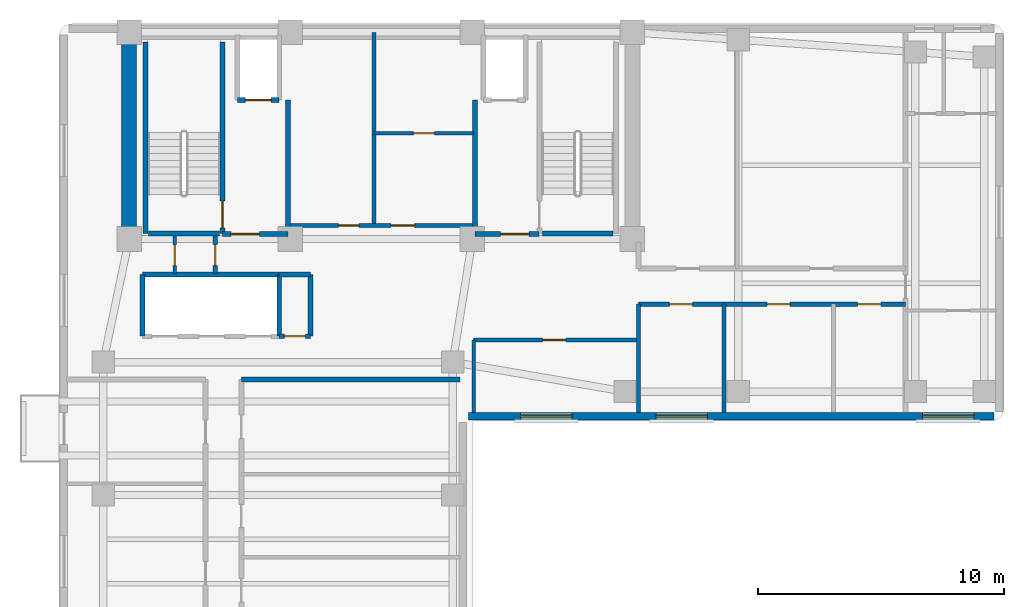
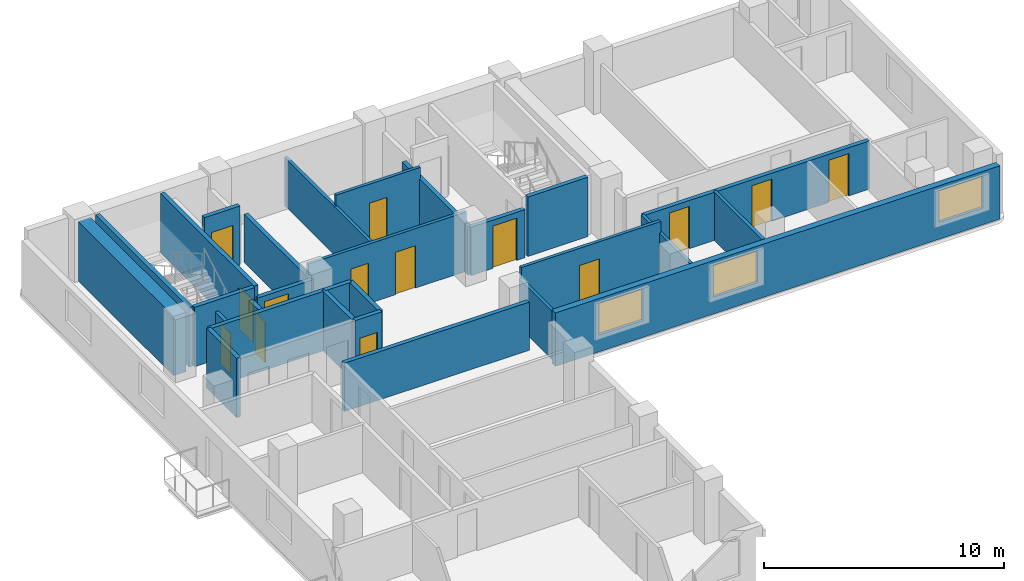
# One storey, part 3 of 6: 28 walls, 14 doors, 3 windows, 17 openings.
"""IFC4 building model written with IfcOpenShell, lengths in metres."""

from ifc_helpers import new_model, si_unit, direction, frame, frame_2d, origin, place, context, subcontext, project, spatial, rectangle, extrude, material, layer, layer_set, type_object, element, fill, save


model = new_model("IFC4")

# Units and contexts
model_context = context("Model", 3, precision=1e-05, world=origin(), true_north=direction((0.0, 1.0)))
body_context = subcontext(model_context, "Body", "Model", "MODEL_VIEW")
ifc_project = project(units=[si_unit("LENGTHUNIT", "METRE"), si_unit("AREAUNIT", "SQUARE_METRE"), si_unit("VOLUMEUNIT", "CUBIC_METRE"), si_unit("PLANEANGLEUNIT", "RADIAN"), si_unit("MASSUNIT", "GRAM", prefix="KILO")], contexts=[model_context])

# Site, building, storey
site_placement = place(None, origin())
site = spatial("IfcSite", under=ifc_project, at=site_placement, CompositionType="ELEMENT")
building_placement = place(site_placement, origin())
building = spatial("IfcBuilding", under=site, at=building_placement, Name="Kuzgunbayir Cultural Tower", CompositionType="ELEMENT")
storey_placement = place(building_placement, frame((0.0, 0.0, 182.39990234375)))
storey = spatial("IfcBuildingStorey", under=building, at=storey_placement, Name="L53", CompositionType="ELEMENT", Elevation=182.39990234375)

# Wall
ifc_material_1 = material(Name="Concrete C60/75", Category="concrete")
ifc_layer_1 = layer(ifc_material_1, 0.60009765625)
ifc_layer_set_1 = layer_set([ifc_layer_1], Name="Concrete C60/75")
wall_type_1 = type_object("IfcWallType", Name="WAL-CORE-600", PredefinedType="SHEAR", material=ifc_layer_set_1)
wall_1_placement = place(storey_placement, frame((6.449951171875, 33.800048828125, 0.0), z_axis=(0.0, 0.0, 1.0), x_axis=(0.0, 1.0, 0.0)))
element("IfcWall", 1, at=wall_1_placement, inside=storey, type_object=wall_type_1, Name="L53 T1 Core West Shear Wall", PredefinedType="SHEAR", context=body_context, shape_type="SweptSolid", body=[
    extrude(rectangle(XDim=7.949951171875, YDim=0.60009765625, at=frame_2d((3.97509765625, 0.0))), origin(), (0.0, 0.0, 1.0), 3.02001953125),
])

# Wall, openings, windows
ifc_material_2 = material(Name="Anatolian Cream Limestone", Category="masonry")
ifc_layer_2 = layer(ifc_material_2, 0.300048828125)
ifc_layer_set_2 = layer_set([ifc_layer_2], Name="Anatolian Cream Limestone")
wall_type_2 = type_object("IfcWallType", Name="WAL-EXT-STONE-300", PredefinedType="STANDARD", material=ifc_layer_set_2)
wall_2_placement = place(storey_placement, frame((20.25, 26.60009765625, 0.0), z_axis=(0.0, 0.0, 1.0), x_axis=(1.0, 0.0, 0.0)))
wall_2 = element("IfcWall", 2, at=wall_2_placement, inside=storey, type_object=wall_type_2, Name="L53 Wing B South Limestone Wall", PredefinedType="STANDARD", context=body_context, shape_type="SweptSolid", body=[
    extrude(rectangle(XDim=21.35009765625, YDim=0.300048828125, at=frame_2d((10.675048828125, 0.0))), origin(), (0.0, 0.0, 1.0), 2.710205078125),
])
opening_1_placement = place(wall_2_placement, frame((18.429931640625, 0.0, 0.85009765625)))
opening_1 = element("IfcOpeningElement", 3, at=opening_1_placement, cuts=wall_2, Name="Opening WR-21", PredefinedType="OPENING", context=body_context, shape_type="SweptSolid", body=[
    extrude(rectangle(XDim=2.10009765625, YDim=1.610107421875, at=frame_2d((1.050048828125, 0.80517578125))), frame((0.0, 0.16015625, 0.0), z_axis=(0.0, -1.0, 0.0), x_axis=(1.0, 0.0, 0.0)), (0.0, 0.0, 1.0), 0.320068359375),
])
opening_2_placement = place(wall_2_placement, frame((2.10009765625, 0.0, 0.85009765625)))
opening_2 = element("IfcOpeningElement", 4, at=opening_2_placement, cuts=wall_2, Name="Opening WR-21", PredefinedType="OPENING", context=body_context, shape_type="SweptSolid", body=[
    extrude(rectangle(XDim=2.10009765625, YDim=1.610107421875, at=frame_2d((1.050048828125, 0.80517578125))), frame((0.0, 0.16015625, 0.0), z_axis=(0.0, -1.0, 0.0), x_axis=(1.0, 0.0, 0.0)), (0.0, 0.0, 1.0), 0.320068359375),
])
opening_3_placement = place(wall_2_placement, frame((7.60009765625, 0.0, 0.85009765625)))
opening_3 = element("IfcOpeningElement", 5, at=opening_3_placement, cuts=wall_2, Name="Opening WR-21", PredefinedType="OPENING", context=body_context, shape_type="SweptSolid", body=[
    extrude(rectangle(XDim=2.10009765625, YDim=1.610107421875, at=frame_2d((1.050048828125, 0.80517578125))), frame((0.0, 0.16015625, 0.0), z_axis=(0.0, -1.0, 0.0), x_axis=(1.0, 0.0, 0.0)), (0.0, 0.0, 1.0), 0.320068359375),
])
ifc_material_3 = material(Name="Solar-Control Triple Glazing", Category="glass")
window_type = type_object("IfcWindowType", Name="WIN-RESID-21", PartitioningType="SINGLE_PANEL", PredefinedType="WINDOW", material=ifc_material_3)
window_1_placement = place(opening_1_placement, origin())
window_1 = element("IfcWindow", 6, at=window_1_placement, inside=storey, type_object=window_type, Name="L53 WBS Facade Window 5", OverallHeight=1.610107421875, OverallWidth=2.10009765625, PartitioningType="SINGLE_PANEL", PredefinedType="WINDOW", context=body_context, shape_type="SweptSolid", body=[
    extrude(rectangle(XDim=2.10009765625, YDim=1.610107421875, at=frame_2d((1.050048828125, 0.80517578125))), frame((0.0, 0.030029296875, 0.0), z_axis=(0.0, -1.0, 0.0), x_axis=(1.0, 0.0, 0.0)), (0.0, 0.0, 1.0), 0.06005859375),
])
fill(opening_1, window_1)
window_2_placement = place(opening_2_placement, origin())
window_2 = element("IfcWindow", 7, at=window_2_placement, inside=storey, type_object=window_type, Name="L53 WBS Facade Window 12", OverallHeight=1.610107421875, OverallWidth=2.10009765625, PartitioningType="SINGLE_PANEL", PredefinedType="WINDOW", context=body_context, shape_type="SweptSolid", body=[
    extrude(rectangle(XDim=2.10009765625, YDim=1.610107421875, at=frame_2d((1.050048828125, 0.80517578125))), frame((0.0, 0.030029296875, 0.0), z_axis=(0.0, -1.0, 0.0), x_axis=(1.0, 0.0, 0.0)), (0.0, 0.0, 1.0), 0.06005859375),
])
fill(opening_2, window_2)
window_3_placement = place(opening_3_placement, origin())
window_3 = element("IfcWindow", 8, at=window_3_placement, inside=storey, type_object=window_type, Name="L53 WBS Facade Window 13", OverallHeight=1.610107421875, OverallWidth=2.10009765625, PartitioningType="SINGLE_PANEL", PredefinedType="WINDOW", context=body_context, shape_type="SweptSolid", body=[
    extrude(rectangle(XDim=2.10009765625, YDim=1.610107421875, at=frame_2d((1.050048828125, 0.80517578125))), frame((0.0, 0.030029296875, 0.0), z_axis=(0.0, -1.0, 0.0), x_axis=(1.0, 0.0, 0.0)), (0.0, 0.0, 1.0), 0.06005859375),
])
fill(opening_3, window_3)

# Wall, opening, door
ifc_material_4 = material(Name="Acoustic Double-Stud Drywall", Category="gypsum")
ifc_layer_3 = layer(ifc_material_4, 0.14990234375)
ifc_layer_set_3 = layer_set([ifc_layer_3], Name="Acoustic Double-Stud Drywall")
wall_type_3 = type_object("IfcWallType", Name="WAL-PART-ACOUSTIC-150", PredefinedType="PARTITIONING", material=ifc_layer_set_3)
wall_3_placement = place(storey_placement, frame((8.300048828125, 32.39990234375, 0.0), z_axis=(0.0, 0.0, 1.0), x_axis=(0.0, 1.0, 0.0)))
wall_3 = element("IfcWall", 9, at=wall_3_placement, inside=storey, type_object=wall_type_3, Name="L53 West Core Closet Divider", PredefinedType="PARTITIONING", context=body_context, shape_type="SweptSolid", body=[
    extrude(rectangle(XDim=1.52001953125, YDim=0.14990234375, at=frame_2d((0.760009765625, 0.0))), origin(), (0.0, 0.0, 1.0), 2.4501953125),
])
opening_4_placement = place(wall_3_placement, frame((0.320068359375, 0.0, 0.0)))
opening_4 = element("IfcOpeningElement", 10, at=opening_4_placement, cuts=wall_3, Name="Opening DR-RSR-60", PredefinedType="OPENING", context=body_context, shape_type="SweptSolid", body=[
    extrude(rectangle(XDim=0.85009765625, YDim=2.050048828125, at=frame_2d((0.425048828125, 1.02490234375))), frame((0.0, 0.0849609375, 0.0), z_axis=(0.0, -1.0, 0.0), x_axis=(1.0, 0.0, 0.0)), (0.0, 0.0, 1.0), 0.169921875),
])
ifc_material_5 = material(Name="Steel Access Leaf", Category="steel")
door_type_1 = type_object("IfcDoorType", Name="DR-RISER-60", OperationType="NOTDEFINED", PredefinedType="DOOR", material=ifc_material_5)
door_1_placement = place(opening_4_placement, origin())
door_1 = element("IfcDoor", 11, at=door_1_placement, inside=storey, type_object=door_type_1, Name="L53 Sub-Meter Closet Door", OperationType="SINGLE_SWING_RIGHT", OverallHeight=2.050048828125, OverallWidth=0.85009765625, PredefinedType="DOOR", context=body_context, shape_type="SweptSolid", body=[
    extrude(rectangle(XDim=0.85009765625, YDim=2.050048828125, at=frame_2d((0.425048828125, 1.02490234375))), frame((0.0, 0.02490234375, 0.0), z_axis=(0.0, -1.0, 0.0), x_axis=(1.0, 0.0, 0.0)), (0.0, 0.0, 1.0), 0.050048828125),
])
fill(opening_4, door_1)

# Wall, openings, doors
wall_4_placement = place(storey_placement, frame((12.89990234375, 34.35009765625, 0.0), z_axis=(0.0, 0.0, 1.0), x_axis=(1.0, 0.0, 0.0)))
wall_4 = element("IfcWall", 12, at=wall_4_placement, inside=storey, type_object=wall_type_3, Name="L53 Sky Core South Wall", PredefinedType="PARTITIONING", context=body_context, shape_type="SweptSolid", body=[
    extrude(rectangle(XDim=7.60009765625, YDim=0.14990234375, at=frame_2d((3.800048828125, 0.0))), origin(), (0.0, 0.0, 1.0), 3.02001953125),
])
opening_5_placement = place(wall_4_placement, frame((2.050048828125, 0.0, 0.0)))
opening_5 = element("IfcOpeningElement", 13, at=opening_5_placement, cuts=wall_4, Name="Opening DC-85", PredefinedType="OPENING", context=body_context, shape_type="SweptSolid", body=[
    extrude(rectangle(XDim=0.85009765625, YDim=2.050048828125, at=frame_2d((0.425048828125, 1.02490234375))), frame((0.0, 0.0849609375, 0.0), z_axis=(0.0, -1.0, 0.0), x_axis=(1.0, 0.0, 0.0)), (0.0, 0.0, 1.0), 0.169921875),
])
opening_6_placement = place(wall_4_placement, frame((4.199951171875, 0.0, 0.0)))
opening_6 = element("IfcOpeningElement", 14, at=opening_6_placement, cuts=wall_4, Name="Opening DC-95", PredefinedType="OPENING", context=body_context, shape_type="SweptSolid", body=[
    extrude(rectangle(XDim=0.949951171875, YDim=2.14990234375, at=frame_2d((0.47509765625, 1.074951171875))), frame((0.0, 0.0849609375, 0.0), z_axis=(0.0, -1.0, 0.0), x_axis=(1.0, 0.0, 0.0)), (0.0, 0.0, 1.0), 0.169921875),
])
ifc_material_6 = material(Name="Fire-Rated Veneered Oak Leaf", Category="wood")
door_type_2 = type_object("IfcDoorType", Name="DR-CORE-85", OperationType="NOTDEFINED", PredefinedType="DOOR", material=ifc_material_6)
door_2_placement = place(opening_5_placement, origin())
door_2 = element("IfcDoor", 15, at=door_2_placement, inside=storey, type_object=door_type_2, Name="L53 Study Pod Door", OperationType="SINGLE_SWING_RIGHT", OverallHeight=2.050048828125, OverallWidth=0.85009765625, PredefinedType="DOOR", context=body_context, shape_type="SweptSolid", body=[
    extrude(rectangle(XDim=0.85009765625, YDim=2.050048828125, at=frame_2d((0.425048828125, 1.02490234375))), frame((0.0, 0.02490234375, 0.0), z_axis=(0.0, -1.0, 0.0), x_axis=(1.0, 0.0, 0.0)), (0.0, 0.0, 1.0), 0.050048828125),
])
fill(opening_5, door_2)
door_type_3 = type_object("IfcDoorType", Name="DR-CORE-95", OperationType="NOTDEFINED", PredefinedType="DOOR", material=ifc_material_6)
door_3_placement = place(opening_6_placement, origin())
door_3 = element("IfcDoor", 16, at=door_3_placement, inside=storey, type_object=door_type_3, Name="L53 Tea Salon Door", OperationType="SINGLE_SWING_LEFT", OverallHeight=2.14990234375, OverallWidth=0.949951171875, PredefinedType="DOOR", context=body_context, shape_type="SweptSolid", body=[
    extrude(rectangle(XDim=0.949951171875, YDim=2.14990234375, at=frame_2d((0.47509765625, 1.074951171875))), frame((0.0, 0.02490234375, 0.0), z_axis=(0.0, -1.0, 0.0), x_axis=(1.0, 0.0, 0.0)), (0.0, 0.0, 1.0), 0.050048828125),
])
fill(opening_6, door_3)

# Wall
wall_5_placement = place(storey_placement, frame((16.39990234375, 34.35009765625, 0.0), z_axis=(0.0, 0.0, 1.0), x_axis=(0.0, 1.0, 0.0)))
element("IfcWall", 17, at=wall_5_placement, inside=storey, type_object=wall_type_3, Name="L53 Sky Core Tri-Wall 1", PredefinedType="PARTITIONING", context=body_context, shape_type="SweptSolid", body=[
    extrude(rectangle(XDim=7.849853515625, YDim=0.14990234375, at=frame_2d((3.9248046875, 0.0))), origin(), (0.0, 0.0, 1.0), 2.4501953125),
])

# Wall, opening, door
wall_6_placement = place(storey_placement, frame((16.39990234375, 38.10009765625, 0.0), z_axis=(0.0, 0.0, 1.0), x_axis=(1.0, 0.0, 0.0)))
wall_6 = element("IfcWall", 18, at=wall_6_placement, inside=storey, type_object=wall_type_3, Name="L53 Sky Core Mid Divider", PredefinedType="PARTITIONING", context=body_context, shape_type="SweptSolid", body=[
    extrude(rectangle(XDim=4.050048828125, YDim=0.14990234375, at=frame_2d((2.02490234375, 0.0))), origin(), (0.0, 0.0, 1.0), 3.02001953125),
])
opening_7_placement = place(wall_6_placement, frame((1.60009765625, 0.0, 0.0)))
opening_7 = element("IfcOpeningElement", 19, at=opening_7_placement, cuts=wall_6, Name="Opening DC-85", PredefinedType="OPENING", context=body_context, shape_type="SweptSolid", body=[
    extrude(rectangle(XDim=0.85009765625, YDim=2.050048828125, at=frame_2d((0.425048828125, 1.02490234375))), frame((0.0, 0.0849609375, 0.0), z_axis=(0.0, -1.0, 0.0), x_axis=(1.0, 0.0, 0.0)), (0.0, 0.0, 1.0), 0.169921875),
])
door_4_placement = place(opening_7_placement, origin())
door_4 = element("IfcDoor", 20, at=door_4_placement, inside=storey, type_object=door_type_2, Name="L53 Meditation Room Door", OperationType="SINGLE_SWING_RIGHT", OverallHeight=2.050048828125, OverallWidth=0.85009765625, PredefinedType="DOOR", context=body_context, shape_type="SweptSolid", body=[
    extrude(rectangle(XDim=0.85009765625, YDim=2.050048828125, at=frame_2d((0.425048828125, 1.02490234375))), frame((0.0, 0.02490234375, 0.0), z_axis=(0.0, -1.0, 0.0), x_axis=(1.0, 0.0, 0.0)), (0.0, 0.0, 1.0), 0.050048828125),
])
fill(opening_7, door_4)

wall_7_placement = place(storey_placement, frame((20.449951171875, 29.699951171875, 0.0), z_axis=(0.0, 0.0, 1.0), x_axis=(1.0, 0.0, 0.0)))
wall_7 = element("IfcWall", 21, at=wall_7_placement, inside=storey, type_object=wall_type_3, Name="L53 Waist Alcove North Wall", PredefinedType="PARTITIONING", context=body_context, shape_type="SweptSolid", body=[
    extrude(rectangle(XDim=6.699951171875, YDim=0.14990234375, at=frame_2d((3.35009765625, 0.0))), origin(), (0.0, 0.0, 1.0), 3.02001953125),
])
opening_8_placement = place(wall_7_placement, frame((2.800048828125, 0.0, 0.0)))
opening_8 = element("IfcOpeningElement", 22, at=opening_8_placement, cuts=wall_7, Name="Opening DI-90", PredefinedType="OPENING", context=body_context, shape_type="SweptSolid", body=[
    extrude(rectangle(XDim=0.949951171875, YDim=2.14990234375, at=frame_2d((0.47509765625, 1.074951171875))), frame((0.0, 0.0849609375, 0.0), z_axis=(0.0, -1.0, 0.0), x_axis=(1.0, 0.0, 0.0)), (0.0, 0.0, 1.0), 0.169921875),
])
ifc_material_7 = material(Name="Veneered Oak Single Leaf", Category="wood")
door_type_4 = type_object("IfcDoorType", Name="DR-INT-90", OperationType="NOTDEFINED", PredefinedType="DOOR", material=ifc_material_7)
door_5_placement = place(opening_8_placement, origin())
door_5 = element("IfcDoor", 23, at=door_5_placement, inside=storey, type_object=door_type_4, Name="L53 Waist Alcove Door", OperationType="SINGLE_SWING_LEFT", OverallHeight=2.14990234375, OverallWidth=0.949951171875, PredefinedType="DOOR", context=body_context, shape_type="SweptSolid", body=[
    extrude(rectangle(XDim=0.949951171875, YDim=2.14990234375, at=frame_2d((0.47509765625, 1.074951171875))), frame((0.0, 0.02490234375, 0.0), z_axis=(0.0, -1.0, 0.0), x_axis=(1.0, 0.0, 0.0)), (0.0, 0.0, 1.0), 0.050048828125),
])
fill(opening_8, door_5)

# Walls
wall_8_placement = place(storey_placement, frame((20.449951171875, 26.75, 0.0), z_axis=(0.0, 0.0, 1.0), x_axis=(0.0, 1.0, 0.0)))
element("IfcWall", 24, at=wall_8_placement, inside=storey, type_object=wall_type_3, Name="L53 Waist Alcove West Wall", PredefinedType="PARTITIONING", context=body_context, shape_type="SweptSolid", body=[
    extrude(rectangle(XDim=2.949951171875, YDim=0.14990234375, at=frame_2d((1.47509765625, 0.0))), origin(), (0.0, 0.0, 1.0), 2.4501953125),
])
for number, where, z_axis, x_axis, name in (
    (25, (27.14990234375, 26.75, 0.0), (0.0, 0.0, 1.0), (0.0, 1.0, 0.0), "L53 Waist Alcove East Wall"),
    (26, (30.6201171875, 26.75, 0.0), (0.0, 0.0, 1.0), (0.0, 1.0, 0.0), "L53 Wing B South Divider 1"),
):
    element("IfcWall", number, at=place(storey_placement, frame(where, z_axis=z_axis, x_axis=x_axis)), inside=storey, type_object=wall_type_3, Name=name, PredefinedType="PARTITIONING", context=body_context, shape_type="SweptSolid", body=[
        extrude(rectangle(XDim=4.39990234375, YDim=0.14990234375, at=frame_2d((2.199951171875, 0.0))), origin(), (0.0, 0.0, 1.0), 2.4501953125),
    ])
ifc_material_8 = material(Name="Aerated Concrete Blockwork", Category="masonry")
ifc_layer_4 = layer(ifc_material_8, 0.199951171875)
ifc_layer_set_4 = layer_set([ifc_layer_4], Name="Aerated Concrete Blockwork")
wall_type_4 = type_object("IfcWallType", Name="WAL-PART-FIRE-200", PredefinedType="PARTITIONING", material=ifc_layer_set_4)
wall_9_placement = place(storey_placement, frame((12.89990234375, 34.0, 0.0), z_axis=(0.0, 0.0, 1.0), x_axis=(0.0, 1.0, 0.0)))
element("IfcWall", 27, at=wall_9_placement, inside=storey, type_object=wall_type_4, Name="L53 FFL-1 Lobby East Fire Wall", PredefinedType="PARTITIONING", context=body_context, shape_type="SweptSolid", body=[
    extrude(rectangle(XDim=5.449951171875, YDim=0.199951171875, at=frame_2d((2.72509765625, 0.0))), origin(), (0.0, 0.0, 1.0), 2.4501953125),
])

# Wall, opening, door
wall_10_placement = place(storey_placement, frame((10.239990234375, 34.0, 0.0), z_axis=(0.0, 0.0, 1.0), x_axis=(1.0, 0.0, 0.0)))
wall_10 = element("IfcWall", 28, at=wall_10_placement, inside=storey, type_object=wall_type_4, Name="L53 FFL-1 Lobby South Fire Wall", PredefinedType="PARTITIONING", context=body_context, shape_type="SweptSolid", body=[
    extrude(rectangle(XDim=2.659912109375, YDim=0.199951171875, at=frame_2d((1.330078125, 0.0))), origin(), (0.0, 0.0, 1.0), 2.4501953125),
])
opening_9_placement = place(wall_10_placement, frame((0.35009765625, 0.0, 0.0)))
opening_9 = element("IfcOpeningElement", 29, at=opening_9_placement, cuts=wall_10, Name="Opening DR-FFL-90", PredefinedType="OPENING", context=body_context, shape_type="SweptSolid", body=[
    extrude(rectangle(XDim=1.14990234375, YDim=2.14990234375, at=frame_2d((0.574951171875, 1.074951171875))), frame((0.0, 0.10986328125, 0.0), z_axis=(0.0, -1.0, 0.0), x_axis=(1.0, 0.0, 0.0)), (0.0, 0.0, 1.0), 0.219970703125),
])
ifc_material_9 = material(Name="Steel S355J2", Category="steel")
door_type_5 = type_object("IfcDoorType", Name="DR-FFL-90", OperationType="NOTDEFINED", PredefinedType="DOOR", material=ifc_material_9)
door_6_placement = place(opening_9_placement, origin())
door_6 = element("IfcDoor", 30, at=door_6_placement, inside=storey, type_object=door_type_5, Name="L53 Firefighting Lobby 1 Door", OperationType="SINGLE_SWING_LEFT", OverallHeight=2.14990234375, OverallWidth=1.14990234375, PredefinedType="DOOR", context=body_context, shape_type="SweptSolid", body=[
    extrude(rectangle(XDim=1.14990234375, YDim=2.14990234375, at=frame_2d((0.574951171875, 1.074951171875))), frame((0.0, 0.02490234375, 0.0), z_axis=(0.0, -1.0, 0.0), x_axis=(1.0, 0.0, 0.0)), (0.0, 0.0, 1.0), 0.050048828125),
])
fill(opening_9, door_6)

# Wall
wall_11_placement = place(storey_placement, frame((20.5, 34.0, 0.0), z_axis=(0.0, 0.0, 1.0), x_axis=(0.0, 1.0, 0.0)))
element("IfcWall", 31, at=wall_11_placement, inside=storey, type_object=wall_type_4, Name="L53 FFL-2 Lobby West Fire Wall", PredefinedType="PARTITIONING", context=body_context, shape_type="SweptSolid", body=[
    extrude(rectangle(XDim=5.449951171875, YDim=0.199951171875, at=frame_2d((2.72509765625, 0.0))), origin(), (0.0, 0.0, 1.0), 2.4501953125),
])

# Wall, opening, door
wall_12_placement = place(storey_placement, frame((20.5, 34.0, 0.0), z_axis=(0.0, 0.0, 1.0), x_axis=(1.0, 0.0, 0.0)))
wall_12 = element("IfcWall", 32, at=wall_12_placement, inside=storey, type_object=wall_type_4, Name="L53 FFL-2 Lobby South Fire Wall", PredefinedType="PARTITIONING", context=body_context, shape_type="SweptSolid", body=[
    extrude(rectangle(XDim=2.60009765625, YDim=0.199951171875, at=frame_2d((1.300048828125, 0.0))), origin(), (0.0, 0.0, 1.0), 2.4501953125),
])
opening_10_placement = place(wall_12_placement, frame((1.050048828125, 0.0, 0.0)))
opening_10 = element("IfcOpeningElement", 33, at=opening_10_placement, cuts=wall_12, Name="Opening DR-FFL-90", PredefinedType="OPENING", context=body_context, shape_type="SweptSolid", body=[
    extrude(rectangle(XDim=1.14990234375, YDim=2.14990234375, at=frame_2d((0.574951171875, 1.074951171875))), frame((0.0, 0.10986328125, 0.0), z_axis=(0.0, -1.0, 0.0), x_axis=(1.0, 0.0, 0.0)), (0.0, 0.0, 1.0), 0.219970703125),
])
door_7_placement = place(opening_10_placement, origin())
door_7 = element("IfcDoor", 34, at=door_7_placement, inside=storey, type_object=door_type_5, Name="L53 Firefighting Lobby 2 Door", OperationType="SINGLE_SWING_RIGHT", OverallHeight=2.14990234375, OverallWidth=1.14990234375, PredefinedType="DOOR", context=body_context, shape_type="SweptSolid", body=[
    extrude(rectangle(XDim=1.14990234375, YDim=2.14990234375, at=frame_2d((0.574951171875, 1.074951171875))), frame((0.0, 0.02490234375, 0.0), z_axis=(0.0, -1.0, 0.0), x_axis=(1.0, 0.0, 0.0)), (0.0, 0.0, 1.0), 0.050048828125),
])
fill(opening_10, door_7)

wall_13_placement = place(storey_placement, frame((9.949951171875, 32.39990234375, 0.0), z_axis=(0.0, 0.0, 1.0), x_axis=(0.0, 1.0, 0.0)))
wall_13 = element("IfcWall", 35, at=wall_13_placement, inside=storey, type_object=wall_type_4, Name="L53 West Core Service Closet Wall", PredefinedType="PARTITIONING", context=body_context, shape_type="SweptSolid", body=[
    extrude(rectangle(XDim=1.52001953125, YDim=0.199951171875, at=frame_2d((0.760009765625, 0.0))), origin(), (0.0, 0.0, 1.0), 2.4501953125),
])
opening_11_placement = place(wall_13_placement, frame((0.320068359375, 0.0, 0.0)))
opening_11 = element("IfcOpeningElement", 36, at=opening_11_placement, cuts=wall_13, Name="Opening DR-RSR-60", PredefinedType="OPENING", context=body_context, shape_type="SweptSolid", body=[
    extrude(rectangle(XDim=0.85009765625, YDim=2.050048828125, at=frame_2d((0.425048828125, 1.02490234375))), frame((0.0, 0.10986328125, 0.0), z_axis=(0.0, -1.0, 0.0), x_axis=(1.0, 0.0, 0.0)), (0.0, 0.0, 1.0), 0.219970703125),
])
door_8_placement = place(opening_11_placement, origin())
door_8 = element("IfcDoor", 37, at=door_8_placement, inside=storey, type_object=door_type_1, Name="L53 Cleaner Store Door", OperationType="SINGLE_SWING_LEFT", OverallHeight=2.050048828125, OverallWidth=0.85009765625, PredefinedType="DOOR", context=body_context, shape_type="SweptSolid", body=[
    extrude(rectangle(XDim=0.85009765625, YDim=2.050048828125, at=frame_2d((0.425048828125, 1.02490234375))), frame((0.0, 0.02490234375, 0.0), z_axis=(0.0, -1.0, 0.0), x_axis=(1.0, 0.0, 0.0)), (0.0, 0.0, 1.0), 0.050048828125),
])
fill(opening_11, door_8)

wall_14_placement = place(storey_placement, frame((12.550048828125, 29.85009765625, 0.0), z_axis=(0.0, 0.0, 1.0), x_axis=(1.0, 0.0, 0.0)))
wall_14 = element("IfcWall", 38, at=wall_14_placement, inside=storey, type_object=wall_type_4, Name="L53 Center Core Switchgear South Wall", PredefinedType="PARTITIONING", context=body_context, shape_type="SweptSolid", body=[
    extrude(rectangle(XDim=1.27001953125, YDim=0.199951171875, at=frame_2d((0.635009765625, 0.0))), origin(), (0.0, 0.0, 1.0), 3.02001953125),
])
opening_12_placement = place(wall_14_placement, frame((0.2099609375, 0.0, 0.0)))
opening_12 = element("IfcOpeningElement", 39, at=opening_12_placement, cuts=wall_14, Name="Opening DR-RSR-60", PredefinedType="OPENING", context=body_context, shape_type="SweptSolid", body=[
    extrude(rectangle(XDim=0.85009765625, YDim=2.050048828125, at=frame_2d((0.425048828125, 1.02490234375))), frame((0.0, 0.10986328125, 0.0), z_axis=(0.0, -1.0, 0.0), x_axis=(1.0, 0.0, 0.0)), (0.0, 0.0, 1.0), 0.219970703125),
])
door_9_placement = place(opening_12_placement, origin())
door_9 = element("IfcDoor", 40, at=door_9_placement, inside=storey, type_object=door_type_1, Name="L53 Telecom Closet Door", OperationType="SINGLE_SWING_LEFT", OverallHeight=2.050048828125, OverallWidth=0.85009765625, PredefinedType="DOOR", context=body_context, shape_type="SweptSolid", body=[
    extrude(rectangle(XDim=0.85009765625, YDim=2.050048828125, at=frame_2d((0.425048828125, 1.02490234375))), frame((0.0, 0.02490234375, 0.0), z_axis=(0.0, -1.0, 0.0), x_axis=(1.0, 0.0, 0.0)), (0.0, 0.0, 1.0), 0.050048828125),
])
fill(opening_12, door_9)

# Walls
wall_15_placement = place(storey_placement, frame((13.820068359375, 29.85009765625, 0.0), z_axis=(0.0, 0.0, 1.0), x_axis=(0.0, 1.0, 0.0)))
element("IfcWall", 41, at=wall_15_placement, inside=storey, type_object=wall_type_4, Name="L53 Center Core Switchgear East Wall", PredefinedType="PARTITIONING", context=body_context, shape_type="SweptSolid", body=[
    extrude(rectangle(XDim=2.5, YDim=0.199951171875, at=frame_2d((1.25, 0.0))), origin(), (0.0, 0.0, 1.0), 3.02001953125),
])
wall_16_placement = place(storey_placement, frame((12.550048828125, 32.35009765625, 0.0), z_axis=(0.0, 0.0, 1.0), x_axis=(1.0, 0.0, 0.0)))
element("IfcWall", 42, at=wall_16_placement, inside=storey, type_object=wall_type_4, Name="L53 Center Core Switchgear North Wall", PredefinedType="PARTITIONING", context=body_context, shape_type="SweptSolid", body=[
    extrude(rectangle(XDim=1.27001953125, YDim=0.199951171875, at=frame_2d((0.635009765625, 0.0))), origin(), (0.0, 0.0, 1.0), 3.02001953125),
])
wall_17_placement = place(storey_placement, frame((11.010009765625, 28.10009765625, 0.0), z_axis=(0.0, 0.0, 1.0), x_axis=(1.0, 0.0, 0.0)))
element("IfcWall", 43, at=wall_17_placement, inside=storey, type_object=wall_type_4, Name="L53 North East Partition", PredefinedType="PARTITIONING", context=body_context, shape_type="SweptSolid", body=[
    extrude(rectangle(XDim=8.889892578125, YDim=0.199951171875, at=frame_2d((4.44482421875, 0.0))), origin(), (0.0, 0.0, 1.0), 2.4501953125),
])

# Wall, openings, doors
wall_18_placement = place(storey_placement, frame((27.14990234375, 31.14990234375, 0.0), z_axis=(0.0, 0.0, 1.0), x_axis=(1.0, 0.0, 0.0)))
wall_18 = element("IfcWall", 44, at=wall_18_placement, inside=storey, type_object=wall_type_4, Name="L53 Wing B Residence Corridor South Wall", PredefinedType="PARTITIONING", context=body_context, shape_type="SweptSolid", body=[
    extrude(rectangle(XDim=10.85009765625, YDim=0.199951171875, at=frame_2d((5.425048828125, 0.0))), origin(), (0.0, 0.0, 1.0), 2.4501953125),
])
opening_13_placement = place(wall_18_placement, frame((1.25, 0.0, 0.0)))
opening_13 = element("IfcOpeningElement", 45, at=opening_13_placement, cuts=wall_18, Name="Opening DI-90", PredefinedType="OPENING", context=body_context, shape_type="SweptSolid", body=[
    extrude(rectangle(XDim=0.949951171875, YDim=2.14990234375, at=frame_2d((0.47509765625, 1.074951171875))), frame((0.0, 0.10986328125, 0.0), z_axis=(0.0, -1.0, 0.0), x_axis=(1.0, 0.0, 0.0)), (0.0, 0.0, 1.0), 0.219970703125),
])
opening_14_placement = place(wall_18_placement, frame((5.2099609375, 0.0, 0.0)))
opening_14 = element("IfcOpeningElement", 46, at=opening_14_placement, cuts=wall_18, Name="Opening DI-90", PredefinedType="OPENING", context=body_context, shape_type="SweptSolid", body=[
    extrude(rectangle(XDim=0.949951171875, YDim=2.14990234375, at=frame_2d((0.47509765625, 1.074951171875))), frame((0.0, 0.10986328125, 0.0), z_axis=(0.0, -1.0, 0.0), x_axis=(1.0, 0.0, 0.0)), (0.0, 0.0, 1.0), 0.219970703125),
])
opening_15_placement = place(wall_18_placement, frame((8.89990234375, 0.0, 0.0)))
opening_15 = element("IfcOpeningElement", 47, at=opening_15_placement, cuts=wall_18, Name="Opening DI-90", PredefinedType="OPENING", context=body_context, shape_type="SweptSolid", body=[
    extrude(rectangle(XDim=0.949951171875, YDim=2.14990234375, at=frame_2d((0.47509765625, 1.074951171875))), frame((0.0, 0.10986328125, 0.0), z_axis=(0.0, -1.0, 0.0), x_axis=(1.0, 0.0, 0.0)), (0.0, 0.0, 1.0), 0.219970703125),
])
door_10_placement = place(opening_13_placement, origin())
door_10 = element("IfcDoor", 48, at=door_10_placement, inside=storey, type_object=door_type_4, Name="L53 Wing B Fellows Reading Lounge 1 Door", OperationType="SINGLE_SWING_RIGHT", OverallHeight=2.14990234375, OverallWidth=0.949951171875, PredefinedType="DOOR", context=body_context, shape_type="SweptSolid", body=[
    extrude(rectangle(XDim=0.949951171875, YDim=2.14990234375, at=frame_2d((0.47509765625, 1.074951171875))), frame((0.0, 0.02490234375, 0.0), z_axis=(0.0, -1.0, 0.0), x_axis=(1.0, 0.0, 0.0)), (0.0, 0.0, 1.0), 0.050048828125),
])
fill(opening_13, door_10)
door_11_placement = place(opening_14_placement, origin())
door_11 = element("IfcDoor", 49, at=door_11_placement, inside=storey, type_object=door_type_4, Name="L53 Wing B Fellows Reading Lounge 2 Door", OperationType="SINGLE_SWING_LEFT", OverallHeight=2.14990234375, OverallWidth=0.949951171875, PredefinedType="DOOR", context=body_context, shape_type="SweptSolid", body=[
    extrude(rectangle(XDim=0.949951171875, YDim=2.14990234375, at=frame_2d((0.47509765625, 1.074951171875))), frame((0.0, 0.02490234375, 0.0), z_axis=(0.0, -1.0, 0.0), x_axis=(1.0, 0.0, 0.0)), (0.0, 0.0, 1.0), 0.050048828125),
])
fill(opening_14, door_11)
door_12_placement = place(opening_15_placement, origin())
door_12 = element("IfcDoor", 50, at=door_12_placement, inside=storey, type_object=door_type_4, Name="L53 Wing B Fellows Reading Lounge 3 Door", OperationType="SINGLE_SWING_RIGHT", OverallHeight=2.14990234375, OverallWidth=0.949951171875, PredefinedType="DOOR", context=body_context, shape_type="SweptSolid", body=[
    extrude(rectangle(XDim=0.949951171875, YDim=2.14990234375, at=frame_2d((0.47509765625, 1.074951171875))), frame((0.0, 0.02490234375, 0.0), z_axis=(0.0, -1.0, 0.0), x_axis=(1.0, 0.0, 0.0)), (0.0, 0.0, 1.0), 0.050048828125),
])
fill(opening_15, door_12)

# Walls
ifc_material_10 = material(Name="Concrete C40/50", Category="concrete")
ifc_layer_5 = layer(ifc_material_10, 0.199951171875)
ifc_layer_set_5 = layer_set([ifc_layer_5], Name="Concrete C40/50")
wall_type_5 = type_object("IfcWallType", Name="WAL-SHAFT-200", PredefinedType="MOVABLE", material=ifc_layer_set_5)
wall_19_placement = place(storey_placement, frame((7.0, 32.35009765625, 0.0), z_axis=(0.0, 0.0, 1.0), x_axis=(1.0, 0.0, 0.0)))
element("IfcWall", 51, at=wall_19_placement, inside=storey, type_object=wall_type_5, Name="L53 High-Rise Lift Shaft North Wall", PredefinedType="MOVABLE", context=body_context, shape_type="SweptSolid", body=[
    extrude(rectangle(XDim=5.550048828125, YDim=0.199951171875, at=frame_2d((2.77490234375, 0.0))), origin(), (0.0, 0.0, 1.0), 3.02001953125),
])
for number, where, z_axis, x_axis, name in (
    (52, (7.0, 29.85009765625, 0.0), (0.0, 0.0, 1.0), (0.0, 1.0, 0.0), "L53 High-Rise Lift Shaft West Wall"),
    (53, (12.550048828125, 29.85009765625, 0.0), (0.0, 0.0, 1.0), (0.0, 1.0, 0.0), "L53 High-Rise Lift Shaft East Wall"),
):
    element("IfcWall", number, at=place(storey_placement, frame(where, z_axis=z_axis, x_axis=x_axis)), inside=storey, type_object=wall_type_5, Name=name, PredefinedType="MOVABLE", context=body_context, shape_type="SweptSolid", body=[
        extrude(rectangle(XDim=2.5, YDim=0.199951171875, at=frame_2d((1.25, 0.0))), origin(), (0.0, 0.0, 1.0), 3.02001953125),
    ])

# Wall, opening, door
wall_20_placement = place(storey_placement, frame((10.85009765625, 39.449951171875, 0.0), z_axis=(0.0, 0.0, 1.0), x_axis=(1.0, 0.0, 0.0)))
wall_20 = element("IfcWall", 54, at=wall_20_placement, inside=storey, type_object=wall_type_5, Name="L53 FFL-1 Lift Front Wall", PredefinedType="MOVABLE", context=body_context, shape_type="SweptSolid", body=[
    extrude(rectangle(XDim=1.699951171875, YDim=0.199951171875, at=frame_2d((0.85009765625, 0.0))), origin(), (0.0, 0.0, 1.0), 3.02001953125),
])
opening_16_placement = place(wall_20_placement, frame((0.320068359375, 0.0, 0.0)))
opening_16 = element("IfcOpeningElement", 55, at=opening_16_placement, cuts=wall_20, Name="Opening LD", PredefinedType="OPENING", context=body_context, shape_type="SweptSolid", body=[
    extrude(rectangle(XDim=1.050048828125, YDim=2.14990234375, at=frame_2d((0.52490234375, 1.074951171875))), frame((0.0, 0.10986328125, 0.0), z_axis=(0.0, -1.0, 0.0), x_axis=(1.0, 0.0, 0.0)), (0.0, 0.0, 1.0), 0.219970703125),
])
ifc_material_11 = material(Name="Brushed Stainless Steel", Category="steel")
door_type_6 = type_object("IfcDoorType", Name="DR-LIFT-LANDING", OperationType="SLIDING_TO_LEFT", PredefinedType="DOOR", material=ifc_material_11)
door_13_placement = place(opening_16_placement, origin())
door_13 = element("IfcDoor", 56, at=door_13_placement, inside=storey, type_object=door_type_6, Name="L53 Lift FFL-1 Landing Door", OperationType="SLIDING_TO_LEFT", OverallHeight=2.14990234375, OverallWidth=1.050048828125, PredefinedType="DOOR", context=body_context, shape_type="SweptSolid", body=[
    extrude(rectangle(XDim=1.050048828125, YDim=2.14990234375, at=frame_2d((0.52490234375, 1.074951171875))), frame((0.0, 0.02490234375, 0.0), z_axis=(0.0, -1.0, 0.0), x_axis=(1.0, 0.0, 0.0)), (0.0, 0.0, 1.0), 0.050048828125),
])
fill(opening_16, door_13)

# Wall
ifc_layer_6 = layer(ifc_material_10, 0.199951171875)
ifc_layer_set_6 = layer_set([ifc_layer_6], Name="Concrete C40/50")
wall_type_6 = type_object("IfcWallType", Name="WAL-STAIR-RC-200", PredefinedType="SHEAR", material=ifc_layer_set_6)
wall_21_placement = place(storey_placement, frame((7.1201171875, 34.02001953125, 0.0), z_axis=(0.0, 0.0, 1.0), x_axis=(0.0, 1.0, 0.0)))
element("IfcWall", 57, at=wall_21_placement, inside=storey, type_object=wall_type_6, Name="L53 Stair ST-1 West Structural Wall", PredefinedType="SHEAR", context=body_context, shape_type="SweptSolid", body=[
    extrude(rectangle(XDim=7.780029296875, YDim=0.199951171875, at=frame_2d((3.89013671875, 0.0))), origin(), (0.0, 0.0, 1.0), 3.02001953125),
])

# Wall, opening, door
wall_22_placement = place(storey_placement, frame((10.239990234375, 34.02001953125, 0.0), z_axis=(0.0, 0.0, 1.0), x_axis=(0.0, 1.0, 0.0)))
wall_22 = element("IfcWall", 58, at=wall_22_placement, inside=storey, type_object=wall_type_6, Name="L53 Stair ST-1 East Structural Wall", PredefinedType="SHEAR", context=body_context, shape_type="SweptSolid", body=[
    extrude(rectangle(XDim=7.780029296875, YDim=0.199951171875, at=frame_2d((3.89013671875, 0.0))), origin(), (0.0, 0.0, 1.0), 3.02001953125),
])
opening_17_placement = place(wall_22_placement, frame((0.219970703125, 0.0, 0.0)))
opening_17 = element("IfcOpeningElement", 59, at=opening_17_placement, cuts=wall_22, Name="Opening DR-STAIR-90", PredefinedType="OPENING", context=body_context, shape_type="SweptSolid", body=[
    extrude(rectangle(XDim=1.10009765625, YDim=2.14990234375, at=frame_2d((0.550048828125, 1.074951171875))), frame((0.0, 0.10986328125, 0.0), z_axis=(0.0, -1.0, 0.0), x_axis=(1.0, 0.0, 0.0)), (0.0, 0.0, 1.0), 0.219970703125),
])
door_type_7 = type_object("IfcDoorType", Name="DR-STAIR-90", OperationType="NOTDEFINED", PredefinedType="DOOR", material=ifc_material_9)
door_14_placement = place(opening_17_placement, origin())
door_14 = element("IfcDoor", 60, at=door_14_placement, inside=storey, type_object=door_type_7, Name="L53 Stair ST-1 Fire Door", OperationType="SINGLE_SWING_LEFT", OverallHeight=2.14990234375, OverallWidth=1.10009765625, PredefinedType="DOOR", context=body_context, shape_type="SweptSolid", body=[
    extrude(rectangle(XDim=1.10009765625, YDim=2.14990234375, at=frame_2d((0.550048828125, 1.074951171875))), frame((0.0, 0.02490234375, 0.0), z_axis=(0.0, -1.0, 0.0), x_axis=(1.0, 0.0, 0.0)), (0.0, 0.0, 1.0), 0.050048828125),
])
fill(opening_17, door_14)

# Walls
for number, where, z_axis, x_axis, name in (
    (61, (7.239990234375, 34.02001953125, 0.0), (0.0, 0.0, 1.0), (1.0, 0.0, 0.0), "L53 Stair ST-1 South Structural Wall"),
    (62, (23.239990234375, 34.02001953125, 0.0), (0.0, 0.0, 1.0), (1.0, 0.0, 0.0), "L53 Stair ST-2 South Structural Wall"),
):
    element("IfcWall", number, at=place(storey_placement, frame(where, z_axis=z_axis, x_axis=x_axis)), inside=storey, type_object=wall_type_6, Name=name, PredefinedType="SHEAR", context=body_context, shape_type="SweptSolid", body=[
        extrude(rectangle(XDim=2.880126953125, YDim=0.199951171875, at=frame_2d((1.43994140625, 0.0))), origin(), (0.0, 0.0, 1.0), 3.02001953125),
    ])

save(model, "model.ifc")
